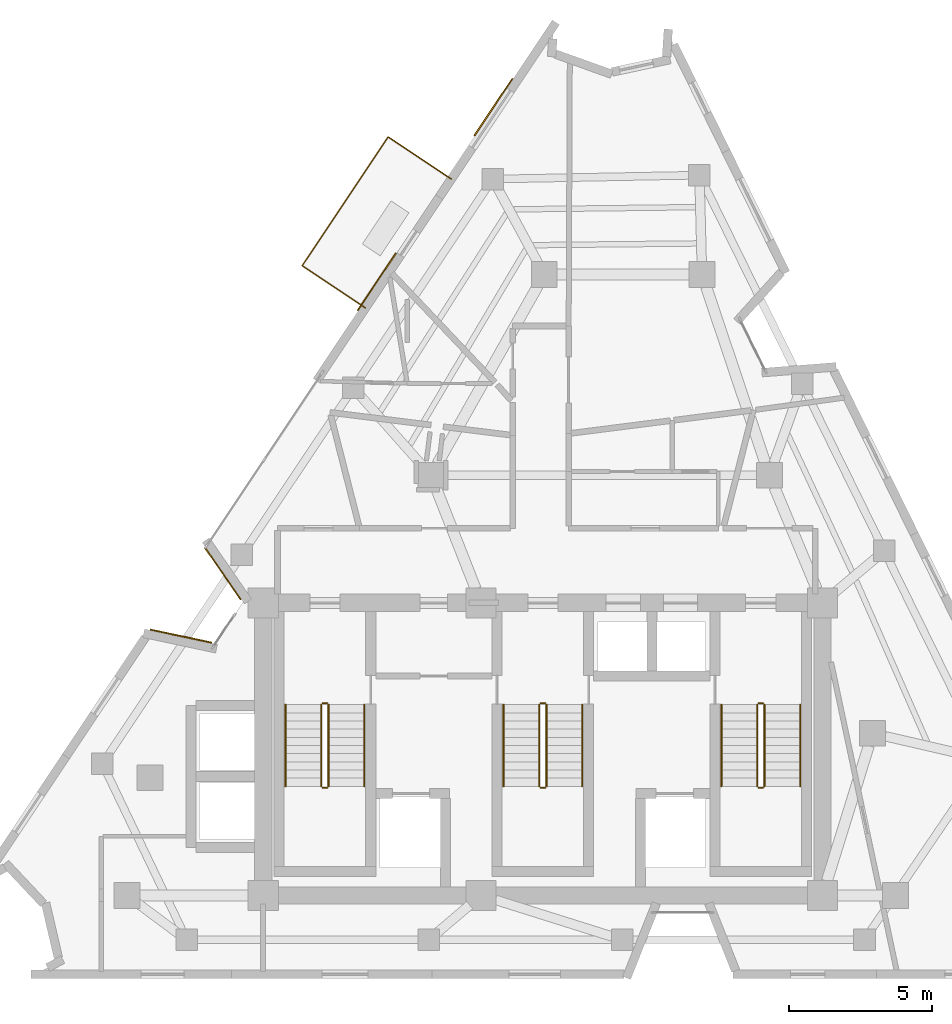
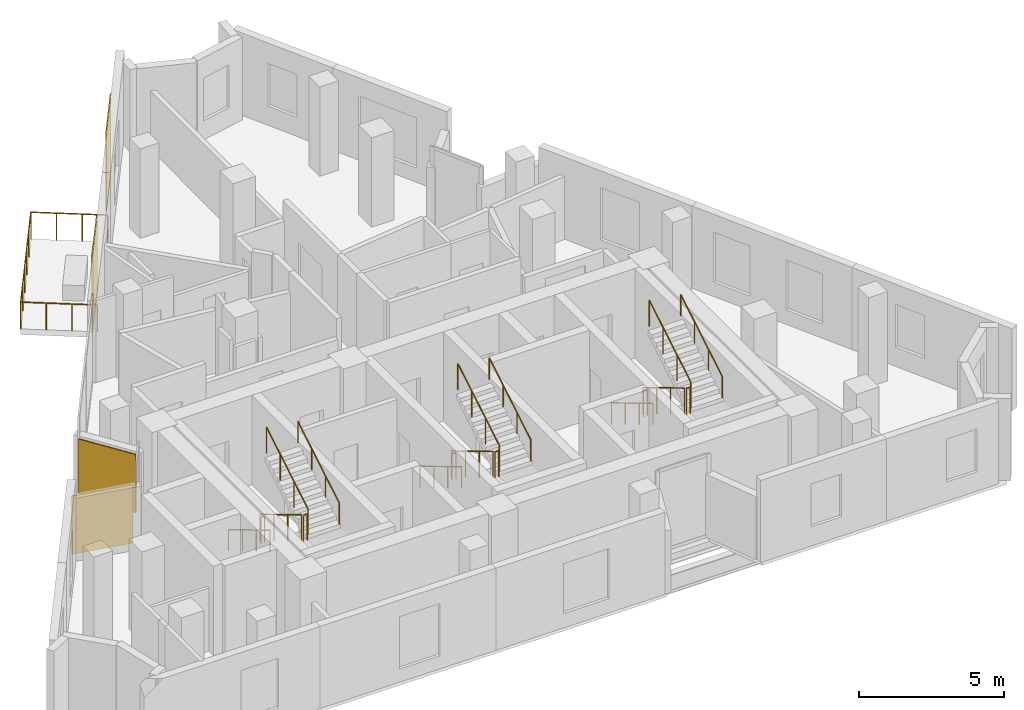
# One storey, part 8 of 8: 19 railings, 4 coverings.
"""IFC4 building model written with IfcOpenShell, lengths in metres."""

from ifc_helpers import new_model, si_unit, direction, frame, origin, origin_2d, place, context, subcontext, project, spatial, rectangle, circle, extrude, material, layer, layer_set, type_object, element, save


model = new_model("IFC4")

# Units and contexts
model_context = context("Model", 3, precision=1e-05, world=origin(), true_north=direction((0.0, 1.0)))
body_context = subcontext(model_context, "Body", "Model", "MODEL_VIEW")
ifc_project = project(units=[si_unit("LENGTHUNIT", "METRE"), si_unit("AREAUNIT", "SQUARE_METRE"), si_unit("VOLUMEUNIT", "CUBIC_METRE"), si_unit("PLANEANGLEUNIT", "RADIAN"), si_unit("MASSUNIT", "GRAM", prefix="KILO")], contexts=[model_context])

# Site, building, storey
site_placement = place(None, origin())
site = spatial("IfcSite", under=ifc_project, at=site_placement, CompositionType="ELEMENT")
building_placement = place(site_placement, origin())
building = spatial("IfcBuilding", under=site, at=building_placement, Name="Almagre Mirador Tower", CompositionType="ELEMENT")
storey_placement = place(building_placement, frame((0.0, 0.0, 285.75)))
storey = spatial("IfcBuildingStorey", under=building, at=storey_placement, Name="L74", CompositionType="ELEMENT", Elevation=285.75)

# Coverings
ifc_material_1 = material(Name="Almagre terracotta architectural cladding", Category="masonry")
ifc_layer = layer(ifc_material_1, 0.044921875)
ifc_layer_set = layer_set([ifc_layer], Name="Almagre terracotta architectural cladding")
covering_type = type_object("IfcCoveringType", Name="COV-CLAD-ALMAGRE", PredefinedType="CLADDING", material=ifc_layer_set)
for number, where, z_axis, x_axis, name in (
    (1, (24.685302734375, 13.587646484375, 0.10009765625), (0.0, 0.0, 1.0), (0.978053152694, -0.208355538697, 0.0), "L74 almagre terracotta pier cladding"),
    (2, (26.142578125, 15.7705078125, 0.10009765625), (0.0, 0.0, 1.0), (-0.567513271194, 0.823364249296, 0.0), "L74 almagre terracotta pier cladding"),
):
    element("IfcCovering", number, at=place(storey_placement, frame(where, z_axis=z_axis, x_axis=x_axis)), inside=storey, type_object=covering_type, Name=name, PredefinedType="CLADDING", context=body_context, shape_type="SweptSolid", body=[
        extrude(rectangle(XDim=2.194091796875, YDim=0.044921875, at=origin_2d()), origin(), (0.0, 0.0, 1.0), 2.446044921875),
    ])
for number, where, z_axis, x_axis, name in (
    (3, (31.510009765625, 25.94287109375, 0.10009765625), (0.0, 0.0, 1.0), (0.555221899113, 0.831702256066, 0.0), "L74 almagre terracotta pier cladding"),
    (4, (35.578857421875, 32.03759765625, 0.10009765625), (0.0, 0.0, 1.0), (0.555221899113, 0.831702256066, 0.0), "L74 almagre terracotta pier cladding"),
):
    element("IfcCovering", number, at=place(storey_placement, frame(where, z_axis=z_axis, x_axis=x_axis)), inside=storey, type_object=covering_type, Name=name, PredefinedType="CLADDING", context=body_context, shape_type="SweptSolid", body=[
        extrude(rectangle(XDim=2.39990234375, YDim=0.044921875, at=origin_2d()), origin(), (0.0, 0.0, 1.0), 3.25),
    ])

# Railings
ifc_material_2 = material(Name="Black anodized aluminium", Category="aluminium")
railing_type_1 = type_object("IfcRailingType", Name="RLG-BAL-1150", PredefinedType="BALUSTRADE", material=ifc_material_2)
railing_1_placement = place(storey_placement, frame((34.10888671875, 29.52587890625, 0.0)))
element("IfcRailing", 5, at=railing_1_placement, inside=storey, type_object=railing_type_1, Name="L74 west balcony balustrade 1", PredefinedType="BALUSTRADE", context=body_context, shape_type="SweptSolid", body=[
    extrude(circle(Radius=0.02392578125, at=origin_2d()), frame((0.0, 0.0, 1.1259765625), z_axis=(-0.831709944104, 0.555210382538, 0.0), x_axis=(-0.555210382538, -0.831709944104, 0.0)), (0.0, 0.0, 1.0), 2.64990234375),
    extrude(circle(Radius=0.02392578125, at=origin_2d()), frame((-2.203857421875, 1.47119140625, 1.1259765625), z_axis=(-0.555221781424, -0.831702334632, 0.0), x_axis=(0.831702334632, -0.555221781424, 0.0)), (0.0, 0.0, 1.0), 5.399658203125),
    extrude(circle(Radius=0.02392578125, at=origin_2d()), frame((-5.201904296875, -3.019775390625, 1.1259765625), z_axis=(0.831568174841, -0.555422695424, 0.0), x_axis=(0.555422695424, 0.831568174841, 0.0)), (0.0, 0.0, 1.0), 2.650634765625),
    extrude(circle(Radius=0.02099609375, at=origin_2d()), origin(), (0.0, 0.0, 1.0), 1.101806640625),
    extrude(circle(Radius=0.02099609375, at=origin_2d()), frame((-0.734619140625, 0.490478515625, 0.0)), (0.0, 0.0, 1.0), 1.101806640625),
    extrude(circle(Radius=0.02099609375, at=origin_2d()), frame((-1.46923828125, 0.980712890625, 0.0)), (0.0, 0.0, 1.0), 1.101806640625),
    extrude(circle(Radius=0.02099609375, at=origin_2d()), frame((-2.203857421875, 1.47119140625, 0.0)), (0.0, 0.0, 1.0), 1.101806640625),
    extrude(circle(Radius=0.02099609375, at=origin_2d()), frame((-2.803466796875, 0.572998046875, 0.0)), (0.0, 0.0, 1.0), 1.101806640625),
    extrude(circle(Radius=0.02099609375, at=origin_2d()), frame((-3.403076171875, -0.3251953125, 0.0)), (0.0, 0.0, 1.0), 1.101806640625),
    extrude(circle(Radius=0.02099609375, at=origin_2d()), frame((-4.002685546875, -1.223388671875, 0.0)), (0.0, 0.0, 1.0), 1.101806640625),
    extrude(circle(Radius=0.02099609375, at=origin_2d()), frame((-4.602294921875, -2.12158203125, 0.0)), (0.0, 0.0, 1.0), 1.101806640625),
    extrude(circle(Radius=0.02099609375, at=origin_2d()), frame((-5.201904296875, -3.019775390625, 0.0)), (0.0, 0.0, 1.0), 1.101806640625),
    extrude(circle(Radius=0.02099609375, at=origin_2d()), frame((-4.46728515625, -3.510498046875, 0.0)), (0.0, 0.0, 1.0), 1.101806640625),
    extrude(circle(Radius=0.02099609375, at=origin_2d()), frame((-3.732421875, -4.001220703125, 0.0)), (0.0, 0.0, 1.0), 1.101806640625),
    extrude(circle(Radius=0.02099609375, at=origin_2d()), frame((-2.997802734375, -4.491943359375, 0.0)), (0.0, 0.0, 1.0), 1.101806640625),
])
ifc_material_3 = material(Name="Painted galvanized steel", Category="steel")
railing_type_2 = type_object("IfcRailingType", Name="RLG-GRD-1100", PredefinedType="GUARDRAIL", material=ifc_material_3)
railing_2_placement = place(storey_placement, frame((29.574951171875, 11.199951171875, 0.17041015625)))
element("IfcRailing", 6, at=railing_2_placement, inside=storey, type_object=railing_type_2, Name="L74 ST-1 stair guard 1", PredefinedType="GUARDRAIL", context=body_context, shape_type="SweptSolid", body=[
    extrude(circle(Radius=0.02392578125, at=origin_2d()), frame((0.0, 0.0, 1.09619140625), z_axis=(0.0, -0.858199205511, 0.513316786848), x_axis=(1.0, 0.0, 0.0)), (0.0, 0.0, 1.0), 3.32080078125),
    extrude(circle(Radius=0.02099609375, at=origin_2d()), origin(), (0.0, 0.0, 1.0), 1.072021484375),
    extrude(circle(Radius=0.02099609375, at=origin_2d()), frame((0.0, -0.949951171875, 0.568115234375)), (0.0, 0.0, 1.0), 1.072021484375),
    extrude(circle(Radius=0.02099609375, at=origin_2d()), frame((0.0, -1.89990234375, 1.136474609375)), (0.0, 0.0, 1.0), 1.072021484375),
    extrude(circle(Radius=0.02099609375, at=origin_2d()), frame((0.0, -2.849853515625, 1.70458984375)), (0.0, 0.0, 1.0), 1.072021484375),
])
railing_3_placement = place(storey_placement, frame((29.625, 8.300048828125, 1.875)))
element("IfcRailing", 7, at=railing_3_placement, inside=storey, type_object=railing_type_2, Name="L74 ST-1 stair guard 2", PredefinedType="GUARDRAIL", context=body_context, shape_type="SweptSolid", body=[
    extrude(circle(Radius=0.02392578125, at=origin_2d()), frame((0.0, 0.0, 1.09619140625), z_axis=(1.0, 0.0, 0.0), x_axis=(0.0, 1.0, 0.0)), (0.0, 0.0, 1.0), 0.14990234375),
    extrude(circle(Radius=0.02099609375, at=origin_2d()), origin(), (0.0, 0.0, 1.0), 1.072021484375),
    extrude(circle(Radius=0.02099609375, at=origin_2d()), frame((0.14990234375, 0.0, 0.0)), (0.0, 0.0, 1.0), 1.072021484375),
])
railing_4_placement = place(storey_placement, frame((29.824951171875, 8.35009765625, 2.04541015625)))
element("IfcRailing", 8, at=railing_4_placement, inside=storey, type_object=railing_type_2, Name="L74 ST-1 stair guard 3", PredefinedType="GUARDRAIL", context=body_context, shape_type="SweptSolid", body=[
    extrude(circle(Radius=0.02392578125, at=origin_2d()), frame((0.0, 0.0, 1.09619140625), z_axis=(0.0, 0.858199205511, 0.513316786848), x_axis=(-1.0, 0.0, 0.0)), (0.0, 0.0, 1.0), 3.32080078125),
    extrude(circle(Radius=0.02099609375, at=origin_2d()), origin(), (0.0, 0.0, 1.0), 1.072021484375),
    extrude(circle(Radius=0.02099609375, at=origin_2d()), frame((0.0, 0.949951171875, 0.568115234375)), (0.0, 0.0, 1.0), 1.072021484375),
    extrude(circle(Radius=0.02099609375, at=origin_2d()), frame((0.0, 1.89990234375, 1.136474609375)), (0.0, 0.0, 1.0), 1.072021484375),
    extrude(circle(Radius=0.02099609375, at=origin_2d()), frame((0.0, 2.849853515625, 1.70458984375)), (0.0, 0.0, 1.0), 1.072021484375),
])
railing_5_placement = place(storey_placement, frame((29.625, 11.25, 0.0)))
element("IfcRailing", 9, at=railing_5_placement, inside=storey, type_object=railing_type_2, Name="L74 ST-1 stair guard 4", PredefinedType="GUARDRAIL", context=body_context, shape_type="SweptSolid", body=[
    extrude(circle(Radius=0.02392578125, at=origin_2d()), frame((0.0, 0.0, 1.09619140625), z_axis=(1.0, 0.0, 0.0), x_axis=(0.0, 1.0, 0.0)), (0.0, 0.0, 1.0), 0.14990234375),
    extrude(circle(Radius=0.02099609375, at=origin_2d()), origin(), (0.0, 0.0, 1.0), 1.072021484375),
    extrude(circle(Radius=0.02099609375, at=origin_2d()), frame((0.14990234375, 0.0, 0.0)), (0.0, 0.0, 1.0), 1.072021484375),
])
railing_6_placement = place(storey_placement, frame((37.175048828125, 11.199951171875, 0.17041015625)))
element("IfcRailing", 10, at=railing_6_placement, inside=storey, type_object=railing_type_2, Name="L74 ST-2 stair guard 1", PredefinedType="GUARDRAIL", context=body_context, shape_type="SweptSolid", body=[
    extrude(circle(Radius=0.02392578125, at=origin_2d()), frame((0.0, 0.0, 1.09619140625), z_axis=(0.0, -0.858199205511, 0.513316786848), x_axis=(1.0, 0.0, 0.0)), (0.0, 0.0, 1.0), 3.32080078125),
    extrude(circle(Radius=0.02099609375, at=origin_2d()), origin(), (0.0, 0.0, 1.0), 1.072021484375),
    extrude(circle(Radius=0.02099609375, at=origin_2d()), frame((0.0, -0.949951171875, 0.568115234375)), (0.0, 0.0, 1.0), 1.072021484375),
    extrude(circle(Radius=0.02099609375, at=origin_2d()), frame((0.0, -1.89990234375, 1.136474609375)), (0.0, 0.0, 1.0), 1.072021484375),
    extrude(circle(Radius=0.02099609375, at=origin_2d()), frame((0.0, -2.849853515625, 1.70458984375)), (0.0, 0.0, 1.0), 1.072021484375),
])
railing_7_placement = place(storey_placement, frame((37.22509765625, 8.300048828125, 1.875)))
element("IfcRailing", 11, at=railing_7_placement, inside=storey, type_object=railing_type_2, Name="L74 ST-2 stair guard 2", PredefinedType="GUARDRAIL", context=body_context, shape_type="SweptSolid", body=[
    extrude(circle(Radius=0.02392578125, at=origin_2d()), frame((0.0, 0.0, 1.09619140625), z_axis=(1.0, 0.0, 0.0), x_axis=(0.0, 1.0, 0.0)), (0.0, 0.0, 1.0), 0.14990234375),
    extrude(circle(Radius=0.02099609375, at=origin_2d()), origin(), (0.0, 0.0, 1.0), 1.072021484375),
    extrude(circle(Radius=0.02099609375, at=origin_2d()), frame((0.14990234375, 0.0, 0.0)), (0.0, 0.0, 1.0), 1.072021484375),
])
railing_8_placement = place(storey_placement, frame((37.425048828125, 8.35009765625, 2.04541015625)))
element("IfcRailing", 12, at=railing_8_placement, inside=storey, type_object=railing_type_2, Name="L74 ST-2 stair guard 3", PredefinedType="GUARDRAIL", context=body_context, shape_type="SweptSolid", body=[
    extrude(circle(Radius=0.02392578125, at=origin_2d()), frame((0.0, 0.0, 1.09619140625), z_axis=(0.0, 0.858199205511, 0.513316786848), x_axis=(-1.0, 0.0, 0.0)), (0.0, 0.0, 1.0), 3.32080078125),
    extrude(circle(Radius=0.02099609375, at=origin_2d()), origin(), (0.0, 0.0, 1.0), 1.072021484375),
    extrude(circle(Radius=0.02099609375, at=origin_2d()), frame((0.0, 0.949951171875, 0.568115234375)), (0.0, 0.0, 1.0), 1.072021484375),
    extrude(circle(Radius=0.02099609375, at=origin_2d()), frame((0.0, 1.89990234375, 1.136474609375)), (0.0, 0.0, 1.0), 1.072021484375),
    extrude(circle(Radius=0.02099609375, at=origin_2d()), frame((0.0, 2.849853515625, 1.70458984375)), (0.0, 0.0, 1.0), 1.072021484375),
])
railing_9_placement = place(storey_placement, frame((37.22509765625, 11.25, 0.0)))
element("IfcRailing", 13, at=railing_9_placement, inside=storey, type_object=railing_type_2, Name="L74 ST-2 stair guard 4", PredefinedType="GUARDRAIL", context=body_context, shape_type="SweptSolid", body=[
    extrude(circle(Radius=0.02392578125, at=origin_2d()), frame((0.0, 0.0, 1.09619140625), z_axis=(1.0, 0.0, 0.0), x_axis=(0.0, 1.0, 0.0)), (0.0, 0.0, 1.0), 0.14990234375),
    extrude(circle(Radius=0.02099609375, at=origin_2d()), origin(), (0.0, 0.0, 1.0), 1.072021484375),
    extrude(circle(Radius=0.02099609375, at=origin_2d()), frame((0.14990234375, 0.0, 0.0)), (0.0, 0.0, 1.0), 1.072021484375),
])
railing_10_placement = place(storey_placement, frame((44.77490234375, 11.199951171875, 0.17041015625)))
element("IfcRailing", 14, at=railing_10_placement, inside=storey, type_object=railing_type_2, Name="L74 ST-3 stair guard 1", PredefinedType="GUARDRAIL", context=body_context, shape_type="SweptSolid", body=[
    extrude(circle(Radius=0.02392578125, at=origin_2d()), frame((0.0, 0.0, 1.09619140625), z_axis=(0.0, -0.858199205511, 0.513316786848), x_axis=(1.0, 0.0, 0.0)), (0.0, 0.0, 1.0), 3.32080078125),
    extrude(circle(Radius=0.02099609375, at=origin_2d()), origin(), (0.0, 0.0, 1.0), 1.072021484375),
    extrude(circle(Radius=0.02099609375, at=origin_2d()), frame((0.0, -0.949951171875, 0.568115234375)), (0.0, 0.0, 1.0), 1.072021484375),
    extrude(circle(Radius=0.02099609375, at=origin_2d()), frame((0.0, -1.89990234375, 1.136474609375)), (0.0, 0.0, 1.0), 1.072021484375),
    extrude(circle(Radius=0.02099609375, at=origin_2d()), frame((0.0, -2.849853515625, 1.70458984375)), (0.0, 0.0, 1.0), 1.072021484375),
])
railing_11_placement = place(storey_placement, frame((44.824951171875, 8.300048828125, 1.875)))
element("IfcRailing", 15, at=railing_11_placement, inside=storey, type_object=railing_type_2, Name="L74 ST-3 stair guard 2", PredefinedType="GUARDRAIL", context=body_context, shape_type="SweptSolid", body=[
    extrude(circle(Radius=0.02392578125, at=origin_2d()), frame((0.0, 0.0, 1.09619140625), z_axis=(1.0, 0.0, 0.0), x_axis=(0.0, 1.0, 0.0)), (0.0, 0.0, 1.0), 0.150146484375),
    extrude(circle(Radius=0.02099609375, at=origin_2d()), origin(), (0.0, 0.0, 1.0), 1.072021484375),
    extrude(circle(Radius=0.02099609375, at=origin_2d()), frame((0.150146484375, 0.0, 0.0)), (0.0, 0.0, 1.0), 1.072021484375),
])
railing_12_placement = place(storey_placement, frame((45.02490234375, 8.35009765625, 2.04541015625)))
element("IfcRailing", 16, at=railing_12_placement, inside=storey, type_object=railing_type_2, Name="L74 ST-3 stair guard 3", PredefinedType="GUARDRAIL", context=body_context, shape_type="SweptSolid", body=[
    extrude(circle(Radius=0.02392578125, at=origin_2d()), frame((0.0, 0.0, 1.09619140625), z_axis=(0.0, 0.858199205511, 0.513316786848), x_axis=(-1.0, 0.0, 0.0)), (0.0, 0.0, 1.0), 3.32080078125),
    extrude(circle(Radius=0.02099609375, at=origin_2d()), origin(), (0.0, 0.0, 1.0), 1.072021484375),
    extrude(circle(Radius=0.02099609375, at=origin_2d()), frame((0.0, 0.949951171875, 0.568115234375)), (0.0, 0.0, 1.0), 1.072021484375),
    extrude(circle(Radius=0.02099609375, at=origin_2d()), frame((0.0, 1.89990234375, 1.136474609375)), (0.0, 0.0, 1.0), 1.072021484375),
    extrude(circle(Radius=0.02099609375, at=origin_2d()), frame((0.0, 2.849853515625, 1.70458984375)), (0.0, 0.0, 1.0), 1.072021484375),
])
railing_13_placement = place(storey_placement, frame((44.824951171875, 11.25, 0.0)))
element("IfcRailing", 17, at=railing_13_placement, inside=storey, type_object=railing_type_2, Name="L74 ST-3 stair guard 4", PredefinedType="GUARDRAIL", context=body_context, shape_type="SweptSolid", body=[
    extrude(circle(Radius=0.02392578125, at=origin_2d()), frame((0.0, 0.0, 1.09619140625), z_axis=(1.0, 0.0, 0.0), x_axis=(0.0, 1.0, 0.0)), (0.0, 0.0, 1.0), 0.150146484375),
    extrude(circle(Radius=0.02099609375, at=origin_2d()), origin(), (0.0, 0.0, 1.0), 1.072021484375),
    extrude(circle(Radius=0.02099609375, at=origin_2d()), frame((0.150146484375, 0.0, 0.0)), (0.0, 0.0, 1.0), 1.072021484375),
])
ifc_material_4 = material(Name="Brushed stainless steel", Category="steel")
railing_type_3 = type_object("IfcRailingType", Name="RLG-HND-915", PredefinedType="HANDRAIL", material=ifc_material_4)
railing_14_placement = place(storey_placement, frame((28.324951171875, 11.199951171875, 0.17041015625)))
element("IfcRailing", 18, at=railing_14_placement, inside=storey, type_object=railing_type_3, Name="L74 ST-1 stair handrail 1", PredefinedType="HANDRAIL", context=body_context, shape_type="SweptSolid", body=[
    extrude(circle(Radius=0.02392578125, at=origin_2d()), frame((0.0, 0.0, 0.89111328125), z_axis=(0.0, -0.858199205511, 0.513316786848), x_axis=(1.0, 0.0, 0.0)), (0.0, 0.0, 1.0), 3.32080078125),
    extrude(circle(Radius=0.02099609375, at=origin_2d()), origin(), (0.0, 0.0, 1.0), 0.866943359375),
    extrude(circle(Radius=0.02099609375, at=origin_2d()), frame((0.0, -0.949951171875, 0.568115234375)), (0.0, 0.0, 1.0), 0.866943359375),
    extrude(circle(Radius=0.02099609375, at=origin_2d()), frame((0.0, -1.89990234375, 1.136474609375)), (0.0, 0.0, 1.0), 0.866943359375),
    extrude(circle(Radius=0.02099609375, at=origin_2d()), frame((0.0, -2.849853515625, 1.70458984375)), (0.0, 0.0, 1.0), 0.866943359375),
])
railing_15_placement = place(storey_placement, frame((31.074951171875, 8.35009765625, 2.04541015625)))
element("IfcRailing", 19, at=railing_15_placement, inside=storey, type_object=railing_type_3, Name="L74 ST-1 stair handrail 2", PredefinedType="HANDRAIL", context=body_context, shape_type="SweptSolid", body=[
    extrude(circle(Radius=0.02392578125, at=origin_2d()), frame((0.0, 0.0, 0.89111328125), z_axis=(0.0, 0.858199205511, 0.513316786848), x_axis=(-1.0, 0.0, 0.0)), (0.0, 0.0, 1.0), 3.32080078125),
    extrude(circle(Radius=0.02099609375, at=origin_2d()), origin(), (0.0, 0.0, 1.0), 0.866943359375),
    extrude(circle(Radius=0.02099609375, at=origin_2d()), frame((0.0, 0.949951171875, 0.568115234375)), (0.0, 0.0, 1.0), 0.866943359375),
    extrude(circle(Radius=0.02099609375, at=origin_2d()), frame((0.0, 1.89990234375, 1.136474609375)), (0.0, 0.0, 1.0), 0.866943359375),
    extrude(circle(Radius=0.02099609375, at=origin_2d()), frame((0.0, 2.849853515625, 1.70458984375)), (0.0, 0.0, 1.0), 0.866943359375),
])
railing_16_placement = place(storey_placement, frame((35.925048828125, 11.199951171875, 0.17041015625)))
element("IfcRailing", 20, at=railing_16_placement, inside=storey, type_object=railing_type_3, Name="L74 ST-2 stair handrail 1", PredefinedType="HANDRAIL", context=body_context, shape_type="SweptSolid", body=[
    extrude(circle(Radius=0.02392578125, at=origin_2d()), frame((0.0, 0.0, 0.89111328125), z_axis=(0.0, -0.858199205511, 0.513316786848), x_axis=(1.0, 0.0, 0.0)), (0.0, 0.0, 1.0), 3.32080078125),
    extrude(circle(Radius=0.02099609375, at=origin_2d()), origin(), (0.0, 0.0, 1.0), 0.866943359375),
    extrude(circle(Radius=0.02099609375, at=origin_2d()), frame((0.0, -0.949951171875, 0.568115234375)), (0.0, 0.0, 1.0), 0.866943359375),
    extrude(circle(Radius=0.02099609375, at=origin_2d()), frame((0.0, -1.89990234375, 1.136474609375)), (0.0, 0.0, 1.0), 0.866943359375),
    extrude(circle(Radius=0.02099609375, at=origin_2d()), frame((0.0, -2.849853515625, 1.70458984375)), (0.0, 0.0, 1.0), 0.866943359375),
])
railing_17_placement = place(storey_placement, frame((38.675048828125, 8.35009765625, 2.04541015625)))
element("IfcRailing", 21, at=railing_17_placement, inside=storey, type_object=railing_type_3, Name="L74 ST-2 stair handrail 2", PredefinedType="HANDRAIL", context=body_context, shape_type="SweptSolid", body=[
    extrude(circle(Radius=0.02392578125, at=origin_2d()), frame((0.0, 0.0, 0.89111328125), z_axis=(0.0, 0.858199205511, 0.513316786848), x_axis=(-1.0, 0.0, 0.0)), (0.0, 0.0, 1.0), 3.32080078125),
    extrude(circle(Radius=0.02099609375, at=origin_2d()), origin(), (0.0, 0.0, 1.0), 0.866943359375),
    extrude(circle(Radius=0.02099609375, at=origin_2d()), frame((0.0, 0.949951171875, 0.568115234375)), (0.0, 0.0, 1.0), 0.866943359375),
    extrude(circle(Radius=0.02099609375, at=origin_2d()), frame((0.0, 1.89990234375, 1.136474609375)), (0.0, 0.0, 1.0), 0.866943359375),
    extrude(circle(Radius=0.02099609375, at=origin_2d()), frame((0.0, 2.849853515625, 1.70458984375)), (0.0, 0.0, 1.0), 0.866943359375),
])
railing_18_placement = place(storey_placement, frame((43.52490234375, 11.199951171875, 0.17041015625)))
element("IfcRailing", 22, at=railing_18_placement, inside=storey, type_object=railing_type_3, Name="L74 ST-3 stair handrail 1", PredefinedType="HANDRAIL", context=body_context, shape_type="SweptSolid", body=[
    extrude(circle(Radius=0.02392578125, at=origin_2d()), frame((0.0, 0.0, 0.89111328125), z_axis=(0.0, -0.858199205511, 0.513316786848), x_axis=(1.0, 0.0, 0.0)), (0.0, 0.0, 1.0), 3.32080078125),
    extrude(circle(Radius=0.02099609375, at=origin_2d()), origin(), (0.0, 0.0, 1.0), 0.866943359375),
    extrude(circle(Radius=0.02099609375, at=origin_2d()), frame((0.0, -0.949951171875, 0.568115234375)), (0.0, 0.0, 1.0), 0.866943359375),
    extrude(circle(Radius=0.02099609375, at=origin_2d()), frame((0.0, -1.89990234375, 1.136474609375)), (0.0, 0.0, 1.0), 0.866943359375),
    extrude(circle(Radius=0.02099609375, at=origin_2d()), frame((0.0, -2.849853515625, 1.70458984375)), (0.0, 0.0, 1.0), 0.866943359375),
])
railing_19_placement = place(storey_placement, frame((46.27490234375, 8.35009765625, 2.04541015625)))
element("IfcRailing", 23, at=railing_19_placement, inside=storey, type_object=railing_type_3, Name="L74 ST-3 stair handrail 2", PredefinedType="HANDRAIL", context=body_context, shape_type="SweptSolid", body=[
    extrude(circle(Radius=0.02392578125, at=origin_2d()), frame((0.0, 0.0, 0.89111328125), z_axis=(0.0, 0.858199205511, 0.513316786848), x_axis=(-1.0, 0.0, 0.0)), (0.0, 0.0, 1.0), 3.32080078125),
    extrude(circle(Radius=0.02099609375, at=origin_2d()), origin(), (0.0, 0.0, 1.0), 0.866943359375),
    extrude(circle(Radius=0.02099609375, at=origin_2d()), frame((0.0, 0.949951171875, 0.568115234375)), (0.0, 0.0, 1.0), 0.866943359375),
    extrude(circle(Radius=0.02099609375, at=origin_2d()), frame((0.0, 1.89990234375, 1.136474609375)), (0.0, 0.0, 1.0), 0.866943359375),
    extrude(circle(Radius=0.02099609375, at=origin_2d()), frame((0.0, 2.849853515625, 1.70458984375)), (0.0, 0.0, 1.0), 0.866943359375),
])

save(model, "model.ifc")
